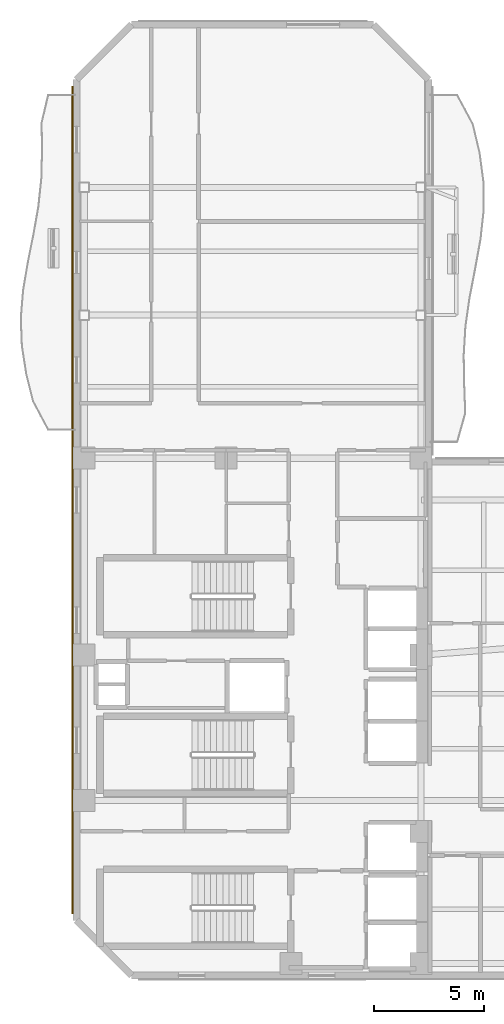
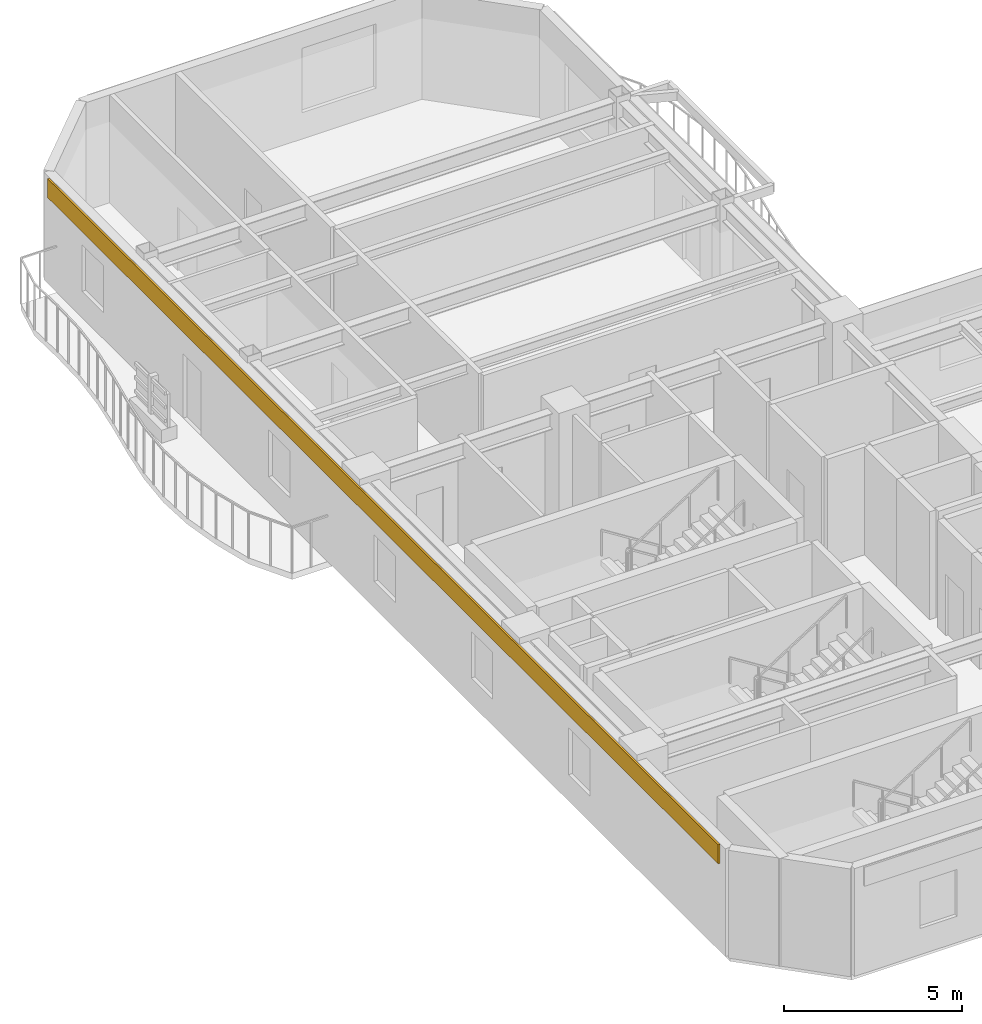
# One storey, part 10 of 13: 1 covering.
"""IFC4 building model written with IfcOpenShell, lengths in metres."""

from ifc_helpers import new_model, si_unit, direction, frame, origin, origin_2d, place, context, subcontext, project, spatial, rectangle, extrude, material, layer, layer_set, type_object, element, save


model = new_model("IFC4")

# Units and contexts
model_context = context("Model", 3, precision=1e-05, world=origin(), true_north=direction((0.0, 1.0)))
body_context = subcontext(model_context, "Body", "Model", "MODEL_VIEW")
ifc_project = project(units=[si_unit("LENGTHUNIT", "METRE"), si_unit("AREAUNIT", "SQUARE_METRE"), si_unit("VOLUMEUNIT", "CUBIC_METRE"), si_unit("PLANEANGLEUNIT", "RADIAN"), si_unit("MASSUNIT", "GRAM", prefix="KILO")], contexts=[model_context])

# Site, building, storey
site_placement = place(None, origin())
site = spatial("IfcSite", under=ifc_project, at=site_placement, CompositionType="ELEMENT")
building_placement = place(site_placement, origin())
building = spatial("IfcBuilding", under=site, at=building_placement, Name="Mawjaban Terraces University", CompositionType="ELEMENT")
storey_placement = place(building_placement, frame((0.0, 0.0, 199.199951171875)))
storey = spatial("IfcBuildingStorey", under=building, at=storey_placement, Name="L48", CompositionType="ELEMENT", Elevation=199.199951171875)

# Covering
ifc_material = material(Name="Glazed architectural terracotta rainscreen", Category="masonry")
ifc_layer = layer(ifc_material, 0.06005859375)
ifc_layer_set = layer_set([ifc_layer], Name="Glazed architectural terracotta rainscreen")
covering_type = type_object("IfcCoveringType", Name="TerracottaSpandrelCladding_60", PredefinedType="CLADDING", material=ifc_layer_set)
covering_placement = place(storey_placement, frame((21.824951171875, 21.60009765625, 3.01513671875), z_axis=(0.0, 0.0, 1.0), x_axis=(0.0, -1.0, 0.0)))
element("IfcCovering", 1, at=covering_placement, inside=storey, type_object=covering_type, Name="L48 Terracotta Spandrel Cladding 13", PredefinedType="CLADDING", context=body_context, shape_type="SweptSolid", body=[
    extrude(rectangle(XDim=37.60009765625, YDim=0.06005859375, at=origin_2d()), origin(), (0.0, 0.0, 1.0), 0.64990234375),
])

save(model, "model.ifc")
